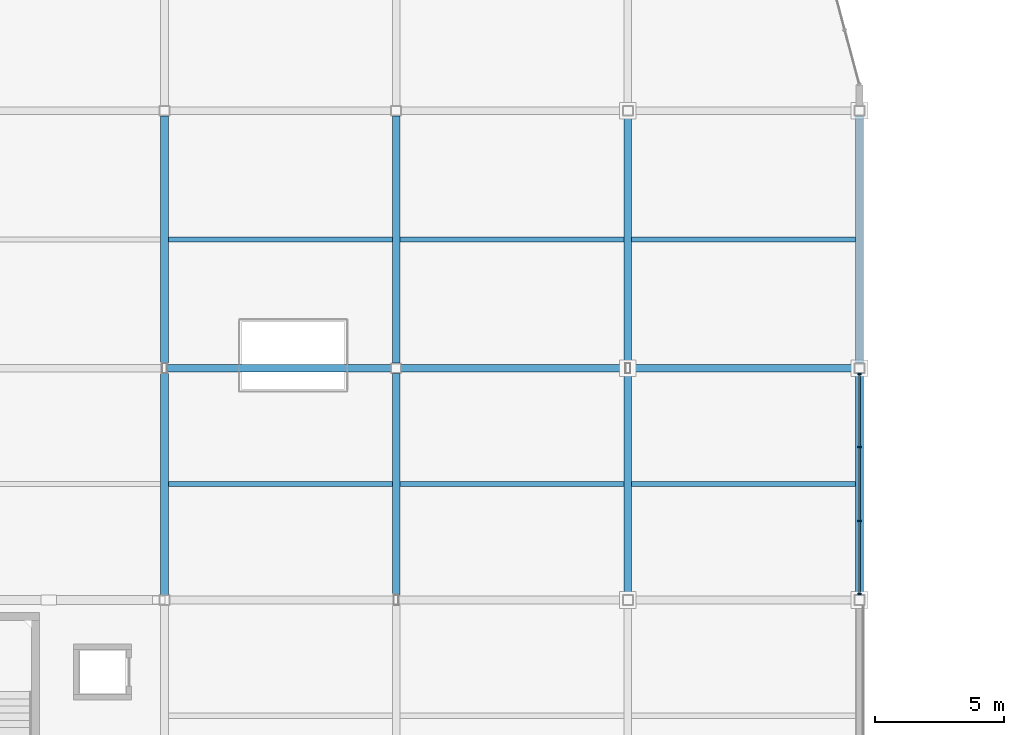
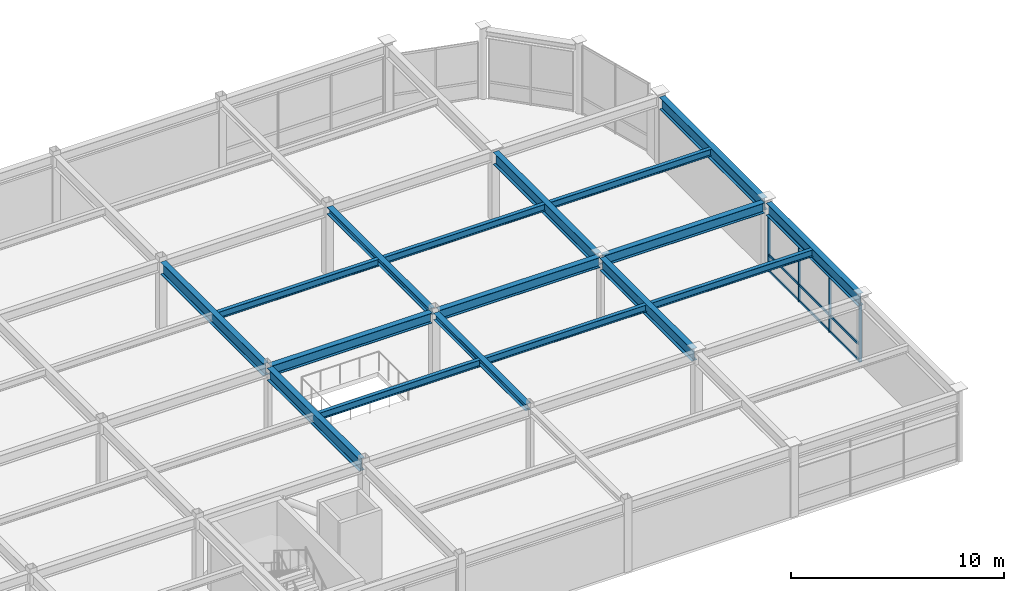
# One storey, part 29 of 70: 17 beams, 13 members, 1 element without a shape of its own.
"""IFC4 building model written with IfcOpenShell, lengths in metres."""

from ifc_helpers import new_model, si_unit, direction, frame, origin, origin_2d, place, context, subcontext, project, spatial, rectangle, i_section, extrude, material, material_profile, profile_set, type_object, element, aggregate, save


model = new_model("IFC4")

# Units and contexts
model_context = context("Model", 3, precision=1e-05, world=origin(), true_north=direction((0.0, 1.0)))
body_context = subcontext(model_context, "Body", "Model", "MODEL_VIEW")
ifc_project = project(units=[si_unit("LENGTHUNIT", "METRE"), si_unit("AREAUNIT", "SQUARE_METRE"), si_unit("VOLUMEUNIT", "CUBIC_METRE"), si_unit("PLANEANGLEUNIT", "RADIAN"), si_unit("MASSUNIT", "GRAM", prefix="KILO")], contexts=[model_context])

# Site, building, storey
site_placement = place(None, origin())
site = spatial("IfcSite", under=ifc_project, at=site_placement, CompositionType="ELEMENT")
building_placement = place(site_placement, origin())
building = spatial("IfcBuilding", under=site, at=building_placement, Name="Suzunagisa Mobility Hub", CompositionType="ELEMENT")
storey_placement = place(building_placement, frame((0.0, 0.0, 13.5)))
storey = spatial("IfcBuildingStorey", under=building, at=storey_placement, Name="L03", CompositionType="ELEMENT", Elevation=13.5)

# Curtain wall, members
ifc_material_1 = material(Name="Thermally Broken Anodized Aluminum and Low-E Glazing", Category="aluminium")
curtain_wall_type = type_object("IfcCurtainWallType", Name="Unitised Curtain Wall CW-18 8500x3200", PredefinedType="USERDEFINED", material=ifc_material_1)
curtain_wall_placement = place(storey_placement, origin())
curtain_wall = element("IfcCurtainWall", 1, at=curtain_wall_placement, inside=storey, type_object=curtain_wall_type, Name="L03 Unitised Curtain Wall CW-124", ObjectType="UNITISED CURTAIN WALL", PredefinedType="USERDEFINED")
ifc_material_2 = material(Name="Anodized Aluminum 6063-T6", Category="aluminium")
ifc_material_profile_1 = material_profile(ifc_material_2, rectangle(XDim=0.06494140625, YDim=0.139892578125, at=origin_2d()), Name="TRAN-65x140")
ifc_profile_set_1 = profile_set([ifc_material_profile_1], Name="Anodized Aluminum 6063-T6")
member_type_1 = type_object("IfcMemberType", Name="Curtain Wall Framing CM-01 TRAN-65x140", PredefinedType="USERDEFINED", material=ifc_profile_set_1)
member_1_placement = place(storey_placement, frame((126.0, 89.258056640625, 0.032470703125), z_axis=(0.0, 1.0, 0.0), x_axis=(-1.0, 0.0, 0.0)))
member_1 = element("IfcMember", 2, at=member_1_placement, type_object=member_type_1, Name="Curtain Wall Transom 124-T1.1", ObjectType="TRANSOM", PredefinedType="USERDEFINED", context=body_context, shape_type="SweptSolid", body=[
    extrude(rectangle(XDim=0.06494140625, YDim=0.139892578125, at=origin_2d()), origin(), (0.0, 0.0, 1.0), 2.78076171875),
])
member_2_placement = place(storey_placement, frame((126.0, 89.258056640625, 0.949951171875), z_axis=(0.0, 1.0, 0.0), x_axis=(-1.0, 0.0, 0.0)))
member_2 = element("IfcMember", 3, at=member_2_placement, type_object=member_type_1, Name="Curtain Wall Transom 124-T1.2", ObjectType="TRANSOM", PredefinedType="USERDEFINED", context=body_context, shape_type="SweptSolid", body=[
    extrude(rectangle(XDim=0.06494140625, YDim=0.139892578125, at=origin_2d()), origin(), (0.0, 0.0, 1.0), 2.78076171875),
])
member_3_placement = place(storey_placement, frame((126.0, 89.258056640625, 3.20751953125), z_axis=(0.0, 1.0, 0.0), x_axis=(-1.0, 0.0, 0.0)))
member_3 = element("IfcMember", 4, at=member_3_placement, type_object=member_type_1, Name="Curtain Wall Transom 124-T1.3", ObjectType="TRANSOM", PredefinedType="USERDEFINED", context=body_context, shape_type="SweptSolid", body=[
    extrude(rectangle(XDim=0.06494140625, YDim=0.139892578125, at=origin_2d()), origin(), (0.0, 0.0, 1.0), 2.78076171875),
])
member_4_placement = place(storey_placement, frame((126.0, 92.0947265625, 0.032470703125), z_axis=(0.0, 1.0, 0.0), x_axis=(-1.0, 0.0, 0.0)))
member_4 = element("IfcMember", 5, at=member_4_placement, type_object=member_type_1, Name="Curtain Wall Transom 124-T2.1", ObjectType="TRANSOM", PredefinedType="USERDEFINED", context=body_context, shape_type="SweptSolid", body=[
    extrude(rectangle(XDim=0.06494140625, YDim=0.139892578125, at=origin_2d()), origin(), (0.0, 0.0, 1.0), 2.810546875),
])
member_5_placement = place(storey_placement, frame((126.0, 92.0947265625, 0.949951171875), z_axis=(0.0, 1.0, 0.0), x_axis=(-1.0, 0.0, 0.0)))
member_5 = element("IfcMember", 6, at=member_5_placement, type_object=member_type_1, Name="Curtain Wall Transom 124-T2.2", ObjectType="TRANSOM", PredefinedType="USERDEFINED", context=body_context, shape_type="SweptSolid", body=[
    extrude(rectangle(XDim=0.06494140625, YDim=0.139892578125, at=origin_2d()), origin(), (0.0, 0.0, 1.0), 2.810546875),
])
member_6_placement = place(storey_placement, frame((126.0, 92.0947265625, 3.20751953125), z_axis=(0.0, 1.0, 0.0), x_axis=(-1.0, 0.0, 0.0)))
member_6 = element("IfcMember", 7, at=member_6_placement, type_object=member_type_1, Name="Curtain Wall Transom 124-T2.3", ObjectType="TRANSOM", PredefinedType="USERDEFINED", context=body_context, shape_type="SweptSolid", body=[
    extrude(rectangle(XDim=0.06494140625, YDim=0.139892578125, at=origin_2d()), origin(), (0.0, 0.0, 1.0), 2.810546875),
])
member_7_placement = place(storey_placement, frame((126.0, 94.961181640625, 0.032470703125), z_axis=(0.0, 1.0, 0.0), x_axis=(-1.0, 0.0, 0.0)))
member_7 = element("IfcMember", 8, at=member_7_placement, type_object=member_type_1, Name="Curtain Wall Transom 124-T3.1", ObjectType="TRANSOM", PredefinedType="USERDEFINED", context=body_context, shape_type="SweptSolid", body=[
    extrude(rectangle(XDim=0.06494140625, YDim=0.139892578125, at=origin_2d()), origin(), (0.0, 0.0, 1.0), 2.78076171875),
])
member_8_placement = place(storey_placement, frame((126.0, 94.961181640625, 0.949951171875), z_axis=(0.0, 1.0, 0.0), x_axis=(-1.0, 0.0, 0.0)))
member_8 = element("IfcMember", 9, at=member_8_placement, type_object=member_type_1, Name="Curtain Wall Transom 124-T3.2", ObjectType="TRANSOM", PredefinedType="USERDEFINED", context=body_context, shape_type="SweptSolid", body=[
    extrude(rectangle(XDim=0.06494140625, YDim=0.139892578125, at=origin_2d()), origin(), (0.0, 0.0, 1.0), 2.78076171875),
])
member_9_placement = place(storey_placement, frame((126.0, 94.961181640625, 3.20751953125), z_axis=(0.0, 1.0, 0.0), x_axis=(-1.0, 0.0, 0.0)))
member_9 = element("IfcMember", 10, at=member_9_placement, type_object=member_type_1, Name="Curtain Wall Transom 124-T3.3", ObjectType="TRANSOM", PredefinedType="USERDEFINED", context=body_context, shape_type="SweptSolid", body=[
    extrude(rectangle(XDim=0.06494140625, YDim=0.139892578125, at=origin_2d()), origin(), (0.0, 0.0, 1.0), 2.78076171875),
])
ifc_material_profile_2 = material_profile(ifc_material_2, rectangle(XDim=0.06005859375, YDim=0.14990234375, at=origin_2d()), Name="MULL-60x150")
ifc_profile_set_2 = profile_set([ifc_material_profile_2], Name="Anodized Aluminum 6063-T6")
member_type_2 = type_object("IfcMemberType", Name="Curtain Wall Framing CM-03 MULL-60x150", PredefinedType="MULLION", material=ifc_profile_set_2)
member_10_placement = place(storey_placement, frame((126.0, 89.22998046875, 0.0), z_axis=(0.0, 0.0, 1.0), x_axis=(0.0, 1.0, 0.0)))
member_10 = element("IfcMember", 11, at=member_10_placement, type_object=member_type_2, Name="Curtain Wall Mullion 124-M1", PredefinedType="MULLION", context=body_context, shape_type="SweptSolid", body=[
    extrude(rectangle(XDim=0.06005859375, YDim=0.14990234375, at=origin_2d()), origin(), (0.0, 0.0, 1.0), 3.239990234375),
])
member_11_placement = place(storey_placement, frame((126.0, 92.066650390625, 0.0), z_axis=(0.0, 0.0, 1.0), x_axis=(0.0, 1.0, 0.0)))
member_11 = element("IfcMember", 12, at=member_11_placement, type_object=member_type_2, Name="Curtain Wall Mullion 124-M2", PredefinedType="MULLION", context=body_context, shape_type="SweptSolid", body=[
    extrude(rectangle(XDim=0.06005859375, YDim=0.14990234375, at=origin_2d()), origin(), (0.0, 0.0, 1.0), 3.239990234375),
])
member_12_placement = place(storey_placement, frame((126.0, 94.933349609375, 0.0), z_axis=(0.0, 0.0, 1.0), x_axis=(0.0, 1.0, 0.0)))
member_12 = element("IfcMember", 13, at=member_12_placement, type_object=member_type_2, Name="Curtain Wall Mullion 124-M3", PredefinedType="MULLION", context=body_context, shape_type="SweptSolid", body=[
    extrude(rectangle(XDim=0.06005859375, YDim=0.14990234375, at=origin_2d()), origin(), (0.0, 0.0, 1.0), 3.239990234375),
])
member_13_placement = place(storey_placement, frame((126.0, 97.77001953125, 0.0), z_axis=(0.0, 0.0, 1.0), x_axis=(0.0, 1.0, 0.0)))
member_13 = element("IfcMember", 14, at=member_13_placement, type_object=member_type_2, Name="Curtain Wall Mullion 124-M4", PredefinedType="MULLION", context=body_context, shape_type="SweptSolid", body=[
    extrude(rectangle(XDim=0.06005859375, YDim=0.14990234375, at=origin_2d()), origin(), (0.0, 0.0, 1.0), 3.239990234375),
])
aggregate(curtain_wall, [member_10, member_11, member_12, member_13, member_1, member_2, member_3, member_4, member_5, member_6, member_7, member_8, member_9])

# Beams
ifc_material_3 = material(Name="Steel SN490B", Category="steel")
ifc_material_profile_3 = material_profile(ifc_material_3, i_section(OverallWidth=0.300048828125, OverallDepth=0.699951171875, WebThickness=0.012939453125, FlangeThickness=0.02392578125, FilletRadius=0.01806640625, at=origin_2d()), Name="H-700x300x13x24")
ifc_profile_set_3 = profile_set([ifc_material_profile_3], Name="Steel SN490B")
beam_type_1 = type_object("IfcBeamType", Name="Steel Beam BM-11 H-700x300x13x24", PredefinedType="BEAM", material=ifc_profile_set_3)
beam_1_placement = place(storey_placement, frame((99.0, 89.196044921875, 3.60009765625), z_axis=(0.0, 1.0, 0.0), x_axis=(-1.0, 0.0, 0.0)))
element("IfcBeam", 15, at=beam_1_placement, inside=storey, type_object=beam_type_1, Name="L03 Primary Girder GY-1088", PredefinedType="BEAM", context=body_context, shape_type="SweptSolid", body=[
    extrude(i_section(OverallWidth=0.300048828125, OverallDepth=0.699951171875, WebThickness=0.012939453125, FlangeThickness=0.02392578125, FilletRadius=0.01806640625, at=origin_2d()), origin(), (0.0, 0.0, 1.0), 8.60791015625),
])
beam_2_placement = place(storey_placement, frame((99.0, 98.196044921875, 3.60009765625), z_axis=(0.0, 1.0, 0.0), x_axis=(-1.0, 0.0, 0.0)))
element("IfcBeam", 16, at=beam_2_placement, inside=storey, type_object=beam_type_1, Name="L03 Primary Girder GY-1089", PredefinedType="BEAM", context=body_context, shape_type="SweptSolid", body=[
    extrude(i_section(OverallWidth=0.300048828125, OverallDepth=0.699951171875, WebThickness=0.012939453125, FlangeThickness=0.02392578125, FilletRadius=0.01806640625, at=origin_2d()), origin(), (0.0, 0.0, 1.0), 9.60791015625),
])
beam_3_placement = place(storey_placement, frame((117.0, 89.196044921875, 3.590087890625), z_axis=(0.0, 1.0, 0.0), x_axis=(-1.0, 0.0, 0.0)))
element("IfcBeam", 17, at=beam_3_placement, inside=storey, type_object=beam_type_1, Name="L03 Primary Girder GY-1129", PredefinedType="BEAM", context=body_context, shape_type="SweptSolid", body=[
    extrude(i_section(OverallWidth=0.300048828125, OverallDepth=0.699951171875, WebThickness=0.012939453125, FlangeThickness=0.02392578125, FilletRadius=0.01806640625, at=origin_2d()), origin(), (0.0, 0.0, 1.0), 8.60791015625),
])
beam_4_placement = place(storey_placement, frame((117.0, 98.196044921875, 3.590087890625), z_axis=(0.0, 1.0, 0.0), x_axis=(-1.0, 0.0, 0.0)))
element("IfcBeam", 18, at=beam_4_placement, inside=storey, type_object=beam_type_1, Name="L03 Primary Girder GY-1130", PredefinedType="BEAM", context=body_context, shape_type="SweptSolid", body=[
    extrude(i_section(OverallWidth=0.300048828125, OverallDepth=0.699951171875, WebThickness=0.012939453125, FlangeThickness=0.02392578125, FilletRadius=0.01806640625, at=origin_2d()), origin(), (0.0, 0.0, 1.0), 9.60791015625),
])
beam_5_placement = place(storey_placement, frame((126.0, 89.196044921875, 3.590087890625), z_axis=(0.0, 1.0, 0.0), x_axis=(-1.0, 0.0, 0.0)))
element("IfcBeam", 19, at=beam_5_placement, inside=storey, type_object=beam_type_1, Name="L03 Primary Girder GY-1133", PredefinedType="BEAM", context=body_context, shape_type="SweptSolid", body=[
    extrude(i_section(OverallWidth=0.300048828125, OverallDepth=0.699951171875, WebThickness=0.012939453125, FlangeThickness=0.02392578125, FilletRadius=0.01806640625, at=origin_2d()), origin(), (0.0, 0.0, 1.0), 8.60791015625),
])
beam_6_placement = place(storey_placement, frame((126.0, 98.196044921875, 3.590087890625), z_axis=(0.0, 1.0, 0.0), x_axis=(-1.0, 0.0, 0.0)))
element("IfcBeam", 20, at=beam_6_placement, inside=storey, type_object=beam_type_1, Name="L03 Primary Girder GY-1134", PredefinedType="BEAM", context=body_context, shape_type="SweptSolid", body=[
    extrude(i_section(OverallWidth=0.300048828125, OverallDepth=0.699951171875, WebThickness=0.012939453125, FlangeThickness=0.02392578125, FilletRadius=0.01806640625, at=origin_2d()), origin(), (0.0, 0.0, 1.0), 9.60791015625),
])
ifc_material_profile_4 = material_profile(ifc_material_3, i_section(OverallWidth=0.300048828125, OverallDepth=0.389892578125, WebThickness=0.010009765625, FlangeThickness=0.01611328125, FilletRadius=0.012939453125, at=origin_2d()), Name="H-390x300x10x16")
ifc_profile_set_4 = profile_set([ifc_material_profile_4], Name="Steel SN490B")
beam_type_2 = type_object("IfcBeamType", Name="Steel Beam BM-13 H-390x300x10x16", PredefinedType="SPANDREL", material=ifc_profile_set_4)
beam_7_placement = place(storey_placement, frame((108.0, 89.196044921875, 3.7451171875), z_axis=(0.0, 1.0, 0.0), x_axis=(-1.0, 0.0, 0.0)))
element("IfcBeam", 21, at=beam_7_placement, inside=storey, type_object=beam_type_2, Name="L03 Primary Girder GY-1092", PredefinedType="SPANDREL", context=body_context, shape_type="SweptSolid", body=[
    extrude(i_section(OverallWidth=0.300048828125, OverallDepth=0.389892578125, WebThickness=0.010009765625, FlangeThickness=0.01611328125, FilletRadius=0.012939453125, at=origin_2d()), origin(), (0.0, 0.0, 1.0), 8.60791015625),
])
beam_8_placement = place(storey_placement, frame((108.0, 98.196044921875, 3.7451171875), z_axis=(0.0, 1.0, 0.0), x_axis=(-1.0, 0.0, 0.0)))
element("IfcBeam", 22, at=beam_8_placement, inside=storey, type_object=beam_type_2, Name="L03 Primary Girder GY-1093", PredefinedType="SPANDREL", context=body_context, shape_type="SweptSolid", body=[
    extrude(i_section(OverallWidth=0.300048828125, OverallDepth=0.389892578125, WebThickness=0.010009765625, FlangeThickness=0.01611328125, FilletRadius=0.012939453125, at=origin_2d()), origin(), (0.0, 0.0, 1.0), 9.60791015625),
])
ifc_material_4 = material(Name="Steel SN400B", Category="steel")
ifc_material_profile_5 = material_profile(ifc_material_4, i_section(OverallWidth=0.199951171875, OverallDepth=0.39990234375, WebThickness=0.008056640625, FlangeThickness=0.012939453125, FilletRadius=0.012939453125, at=origin_2d()), Name="H-400x200x8x13")
ifc_profile_set_5 = profile_set([ifc_material_profile_5], Name="Steel SN400B")
beam_type_3 = type_object("IfcBeamType", Name="Steel Beam BM-14 H-400x200x8x13", PredefinedType="JOIST", material=ifc_profile_set_5)
for number, where, z_axis, x_axis, name in (
    (23, (99.14990234375, 93.5, 3.739990234375), (1.0, 0.0, 0.0), (0.0, 1.0, 0.0), "L03 Composite Floor Joist J-1116"),
    (24, (99.14990234375, 103.0, 3.739990234375), (1.0, 0.0, 0.0), (0.0, 1.0, 0.0), "L03 Composite Floor Joist J-1117"),
    (25, (108.14990234375, 93.5, 3.739990234375), (1.0, 0.0, 0.0), (0.0, 1.0, 0.0), "L03 Composite Floor Joist J-1137"),
    (26, (108.14990234375, 103.0, 3.739990234375), (1.0, 0.0, 0.0), (0.0, 1.0, 0.0), "L03 Composite Floor Joist J-1138"),
    (27, (117.14990234375, 93.5, 3.739990234375), (1.0, 0.0, 0.0), (0.0, 1.0, 0.0), "L03 Composite Floor Joist J-1141"),
    (28, (117.14990234375, 103.0, 3.739990234375), (1.0, 0.0, 0.0), (0.0, 1.0, 0.0), "L03 Composite Floor Joist J-1142"),
):
    element("IfcBeam", number, at=place(storey_placement, frame(where, z_axis=z_axis, x_axis=x_axis)), inside=storey, type_object=beam_type_3, Name=name, PredefinedType="JOIST", context=body_context, shape_type="SweptSolid", body=[
        extrude(i_section(OverallWidth=0.199951171875, OverallDepth=0.39990234375, WebThickness=0.008056640625, FlangeThickness=0.012939453125, FilletRadius=0.012939453125, at=origin_2d()), origin(), (0.0, 0.0, 1.0), 8.7001953125),
    ])
ifc_material_profile_6 = material_profile(ifc_material_3, i_section(OverallWidth=0.300048828125, OverallDepth=0.587890625, WebThickness=0.011962890625, FlangeThickness=0.02001953125, FilletRadius=0.012939453125, at=origin_2d()), Name="H-588x300x12x20")
ifc_profile_set_6 = profile_set([ifc_material_profile_6], Name="Steel SN490B")
beam_type_4 = type_object("IfcBeamType", Name="Steel Beam BM-16 H-588x300x12x20", PredefinedType="BEAM", material=ifc_profile_set_6)
for number, where, z_axis, x_axis, name in (
    (29, (99.095947265625, 98.0, 3.64599609375), (1.0, 0.0, 0.0), (0.0, 1.0, 0.0), "L03 Primary Girder GX-1048"),
    (30, (108.196044921875, 98.0, 3.64599609375), (1.0, 0.0, 0.0), (0.0, 1.0, 0.0), "L03 Primary Girder GX-1123"),
    (31, (117.095947265625, 98.0, 3.64599609375), (1.0, 0.0, 0.0), (0.0, 1.0, 0.0), "L03 Primary Girder GX-1124"),
):
    element("IfcBeam", number, at=place(storey_placement, frame(where, z_axis=z_axis, x_axis=x_axis)), inside=storey, type_object=beam_type_4, Name=name, PredefinedType="BEAM", context=body_context, shape_type="SweptSolid", body=[
        extrude(i_section(OverallWidth=0.300048828125, OverallDepth=0.587890625, WebThickness=0.011962890625, FlangeThickness=0.02001953125, FilletRadius=0.012939453125, at=origin_2d()), origin(), (0.0, 0.0, 1.0), 8.7080078125),
    ])

save(model, "model.ifc")
